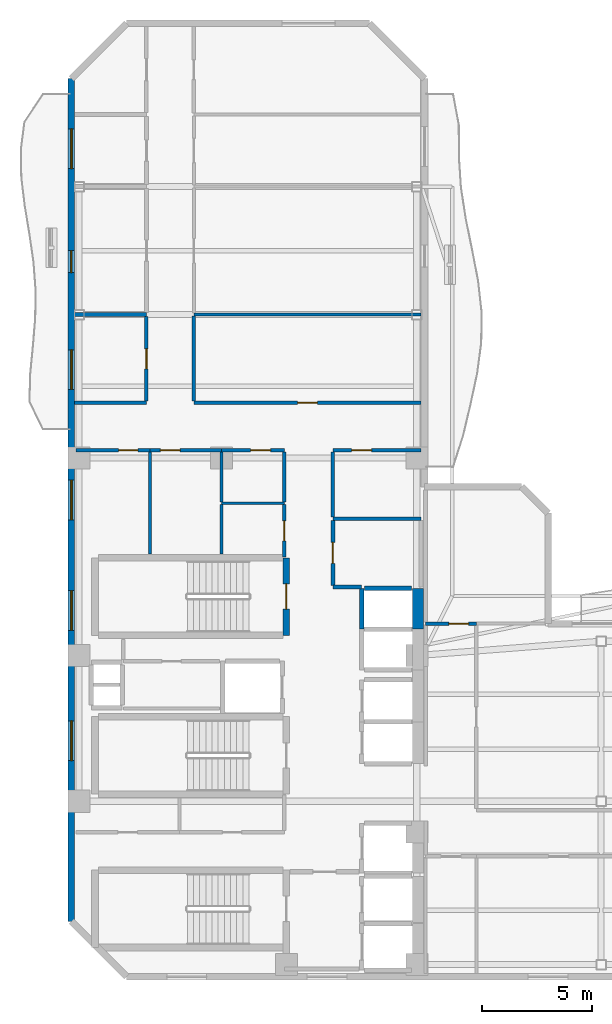
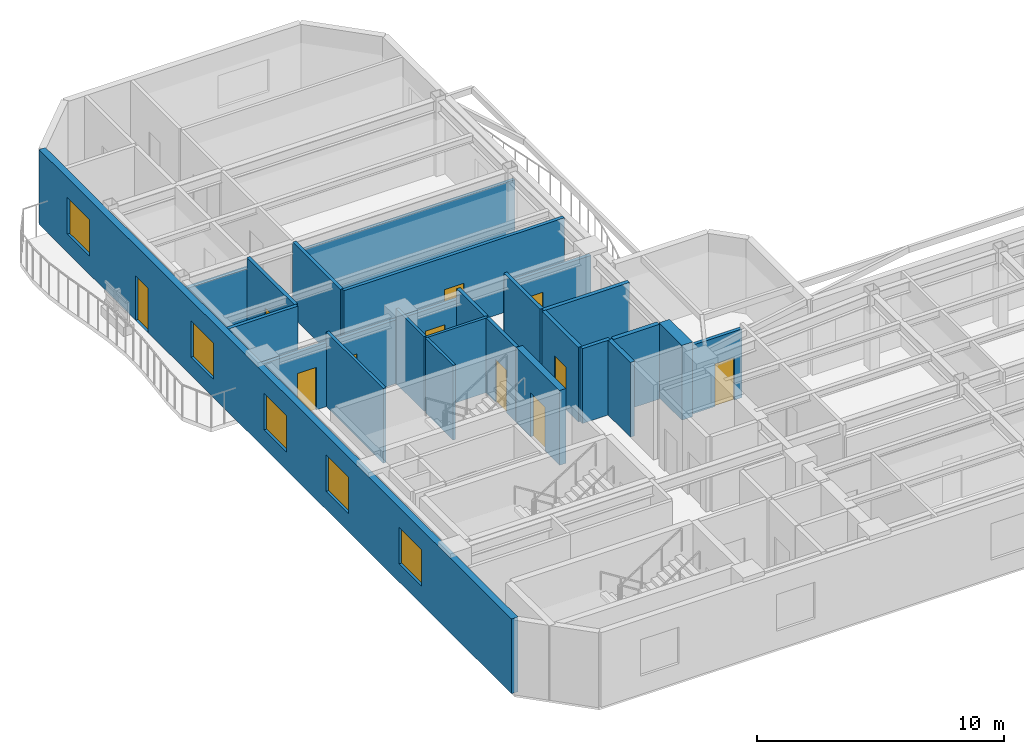
# One storey, part 4 of 9: 26 walls, 11 doors, 5 windows, 16 openings.
"""IFC4 building model written with IfcOpenShell, lengths in metres."""

from ifc_helpers import new_model, si_unit, direction, frame, frame_2d, origin, place, context, subcontext, project, spatial, rectangle, extrude, material, layer, layer_set, type_object, element, fill, save


model = new_model("IFC4")

# Units and contexts
model_context = context("Model", 3, precision=1e-05, world=origin(), true_north=direction((0.0, 1.0)))
body_context = subcontext(model_context, "Body", "Model", "MODEL_VIEW")
ifc_project = project(units=[si_unit("LENGTHUNIT", "METRE"), si_unit("AREAUNIT", "SQUARE_METRE"), si_unit("VOLUMEUNIT", "CUBIC_METRE"), si_unit("PLANEANGLEUNIT", "RADIAN"), si_unit("MASSUNIT", "GRAM", prefix="KILO")], contexts=[model_context])

# Site, building, storey
site_placement = place(None, origin())
site = spatial("IfcSite", under=ifc_project, at=site_placement, CompositionType="ELEMENT")
building_placement = place(site_placement, origin())
building = spatial("IfcBuilding", under=site, at=building_placement, Name="Mawjaban Terraces University", CompositionType="ELEMENT")
storey_placement = place(building_placement, frame((0.0, 0.0, 222.60009765625)))
storey = spatial("IfcBuildingStorey", under=building, at=storey_placement, Name="L54", CompositionType="ELEMENT", Elevation=222.60009765625)

# Walls
ifc_material_1 = material(Name="Acoustic masonry blockwork", Category="masonry")
ifc_layer_1 = layer(ifc_material_1, 0.179931640625)
ifc_layer_set_1 = layer_set([ifc_layer_1], Name="Acoustic masonry blockwork")
wall_type_1 = type_object("IfcWallType", Name="AcousticStudioWall_180", PredefinedType="PARTITIONING", material=ifc_layer_set_1)
wall_1_placement = place(storey_placement, frame((25.39990234375, 30.0, 0.0), z_axis=(0.0, 0.0, 1.0), x_axis=(-1.0, 0.0, 0.0)))
element("IfcWall", 1, at=wall_1_placement, inside=storey, type_object=wall_type_1, Name="L54 Departmental Office 8 Partition 4", PredefinedType="PARTITIONING", context=body_context, shape_type="SweptSolid", body=[
    extrude(rectangle(XDim=3.2548828125, YDim=0.179931640625, at=frame_2d((1.62744140625, 0.0))), origin(), (0.0, 0.0, 1.0), 3.138916015625),
])
wall_2_placement = place(storey_placement, frame((33.85009765625, 17.64990234375, 0.0), z_axis=(0.0, 0.0, 1.0), x_axis=(1.0, 0.0, 0.0)))
element("IfcWall", 2, at=wall_2_placement, inside=storey, type_object=wall_type_1, Name="L54 Graduate Research Collaboration Studio Partition 14", PredefinedType="PARTITIONING", context=body_context, shape_type="SweptSolid", body=[
    extrude(rectangle(XDim=1.2998046875, YDim=0.179931640625, at=frame_2d((0.64990234375, 0.0))), origin(), (0.0, 0.0, 1.0), 3.68994140625),
])
wall_3_placement = place(storey_placement, frame((37.85009765625, 20.75, 0.0), z_axis=(0.0, 0.0, 1.0), x_axis=(-1.0, 0.0, 0.0)))
element("IfcWall", 3, at=wall_3_placement, inside=storey, type_object=wall_type_1, Name="L54 Graduate Research Collaboration Studio Partition 16", PredefinedType="PARTITIONING", context=body_context, shape_type="SweptSolid", body=[
    extrude(rectangle(XDim=4.0, YDim=0.179931640625, at=frame_2d((2.0, 0.0))), origin(), (0.0, 0.0, 1.0), 3.68994140625),
])

# Wall, opening, door
wall_4_placement = place(storey_placement, frame((33.85009765625, 17.735107421875, 0.0), z_axis=(0.0, 0.0, 1.0), x_axis=(0.0, 1.0, 0.0)))
wall_4 = element("IfcWall", 4, at=wall_4_placement, inside=storey, type_object=wall_type_1, Name="L54 Core North Lift Lobby Partition 47", PredefinedType="PARTITIONING", context=body_context, shape_type="SweptSolid", body=[
    extrude(rectangle(XDim=2.929931640625, YDim=0.179931640625, at=frame_2d((1.46484375, 0.0))), origin(), (0.0, 0.0, 1.0), 3.68994140625),
])
opening_1_placement = place(wall_4_placement, frame((0.989990234375, 0.0, 0.0)))
opening_1 = element("IfcOpeningElement", 5, at=opening_1_placement, cuts=wall_4, Name="Opening ID-095", PredefinedType="OPENING", context=body_context, shape_type="SweptSolid", body=[
    extrude(rectangle(XDim=0.949951171875, YDim=2.10009765625, at=frame_2d((0.47509765625, 1.050048828125))), frame((0.0, 0.099853515625, 0.0), z_axis=(0.0, -1.0, 0.0), x_axis=(1.0, 0.0, 0.0)), (0.0, 0.0, 1.0), 0.199951171875),
])
ifc_material_2 = material(Name="Powder-coated steel frame and solid acoustic timber leaf", Category="steel")
door_type_1 = type_object("IfcDoorType", Name="StudioDoor_950x2100", OperationType="NOTDEFINED", PredefinedType="DOOR", material=ifc_material_2)
door_1_placement = place(opening_1_placement, origin())
door_1 = element("IfcDoor", 6, at=door_1_placement, inside=storey, type_object=door_type_1, Name="L54 Graduate Research Collaboration Studio Door", OperationType="SINGLE_SWING_LEFT", OverallHeight=2.10009765625, OverallWidth=0.949951171875, PredefinedType="DOOR", context=body_context, shape_type="SweptSolid", body=[
    extrude(rectangle(XDim=0.949951171875, YDim=2.10009765625, at=frame_2d((0.47509765625, 1.050048828125))), frame((0.0, 0.02490234375, 0.0), z_axis=(0.0, -1.0, 0.0), x_axis=(1.0, 0.0, 0.0)), (0.0, 0.0, 1.0), 0.050048828125),
])
fill(opening_1, door_1)

# Walls
ifc_material_3 = material(Name="Concrete C60/75", Category="concrete")
ifc_layer_2 = layer(ifc_material_3, 0.5)
ifc_layer_set_2 = layer_set([ifc_layer_2], Name="Concrete C60/75")
wall_type_2 = type_object("IfcWallType", Name="CoreShearWall_500", PredefinedType="SHEAR", material=ifc_layer_set_2)
wall_5_placement = place(storey_placement, frame((37.699951171875, 15.75, 0.0), z_axis=(0.0, 0.0, 1.0), x_axis=(0.0, 1.0, 0.0)))
element("IfcWall", 7, at=wall_5_placement, inside=storey, type_object=wall_type_2, Name="L54 Lift OL-2 Hoistway Wall East", PredefinedType="SHEAR", context=body_context, shape_type="SweptSolid", body=[
    extrude(rectangle(XDim=1.85009765625, YDim=0.5, at=frame_2d((0.925048828125, 0.0))), origin(), (0.0, 0.0, 1.0), 3.68994140625),
])
ifc_material_4 = material(Name="Fire-rated gypsum board on steel stud", Category="steel")
ifc_layer_3 = layer(ifc_material_4, 0.159912109375)
ifc_layer_set_3 = layer_set([ifc_layer_3], Name="Fire-rated gypsum board on steel stud")
wall_type_3 = type_object("IfcWallType", Name="CorridorPartition_160", PredefinedType="PARTITIONING", material=ifc_layer_set_3)
wall_6_placement = place(storey_placement, frame((25.39990234375, 26.0, 0.0), z_axis=(0.0, 0.0, 1.0), x_axis=(-1.0, 0.0, 0.0)))
element("IfcWall", 8, at=wall_6_placement, inside=storey, type_object=wall_type_3, Name="L54 North Core Cross-Corridor Partition 3", PredefinedType="PARTITIONING", context=body_context, shape_type="SweptSolid", body=[
    extrude(rectangle(XDim=3.2548828125, YDim=0.159912109375, at=frame_2d((1.62744140625, 0.0))), origin(), (0.0, 0.0, 1.0), 3.68994140625),
])

# Wall, opening, door
wall_7_placement = place(storey_placement, frame((25.550048828125, 23.85009765625, 0.0), z_axis=(0.0, 0.0, 1.0), x_axis=(-1.0, 0.0, 0.0)))
wall_7 = element("IfcWall", 9, at=wall_7_placement, inside=storey, type_object=wall_type_3, Name="L54 Female Toilet Partition 7", PredefinedType="PARTITIONING", context=body_context, shape_type="SweptSolid", body=[
    extrude(rectangle(XDim=3.35009765625, YDim=0.159912109375, at=frame_2d((1.675048828125, 0.0))), origin(), (0.0, 0.0, 1.0), 3.138916015625),
])
opening_2_placement = place(wall_7_placement, frame((0.534912109375, 0.0, 0.0)))
opening_2 = element("IfcOpeningElement", 10, at=opening_2_placement, cuts=wall_7, Name="Opening ID-088", PredefinedType="OPENING", context=body_context, shape_type="SweptSolid", body=[
    extrude(rectangle(XDim=0.8798828125, YDim=2.10009765625, at=frame_2d((0.43994140625, 1.050048828125))), frame((0.0, 0.08984375, 0.0), z_axis=(0.0, -1.0, 0.0), x_axis=(1.0, 0.0, 0.0)), (0.0, 0.0, 1.0), 0.179931640625),
])
door_type_2 = type_object("IfcDoorType", Name="ToiletDoor_880x2100", OperationType="NOTDEFINED", PredefinedType="DOOR", material=ifc_material_2)
door_2_placement = place(opening_2_placement, origin())
door_2 = element("IfcDoor", 11, at=door_2_placement, inside=storey, type_object=door_type_2, Name="L54 Female Toilet Door", OperationType="SINGLE_SWING_RIGHT", OverallHeight=2.10009765625, OverallWidth=0.8798828125, PredefinedType="DOOR", context=body_context, shape_type="SweptSolid", body=[
    extrude(rectangle(XDim=0.8798828125, YDim=2.10009765625, at=frame_2d((0.43994140625, 1.050048828125))), frame((0.0, 0.02490234375, 0.0), z_axis=(0.0, -1.0, 0.0), x_axis=(1.0, 0.0, 0.0)), (0.0, 0.0, 1.0), 0.050048828125),
])
fill(opening_2, door_2)

wall_8_placement = place(storey_placement, frame((28.800048828125, 23.85009765625, 0.0), z_axis=(0.0, 0.0, 1.0), x_axis=(-1.0, 0.0, 0.0)))
wall_8 = element("IfcWall", 12, at=wall_8_placement, inside=storey, type_object=wall_type_3, Name="L54 Staff Tea Pantry Partition 9", PredefinedType="PARTITIONING", context=body_context, shape_type="SweptSolid", body=[
    extrude(rectangle(XDim=3.25, YDim=0.159912109375, at=frame_2d((1.625, 0.0))), origin(), (0.0, 0.0, 1.0), 3.138916015625),
])
opening_3_placement = place(wall_8_placement, frame((1.875, 0.0, 0.0)))
opening_3 = element("IfcOpeningElement", 13, at=opening_3_placement, cuts=wall_8, Name="Opening ID-090", PredefinedType="OPENING", context=body_context, shape_type="SweptSolid", body=[
    extrude(rectangle(XDim=0.89990234375, YDim=2.10009765625, at=frame_2d((0.449951171875, 1.050048828125))), frame((0.0, 0.08984375, 0.0), z_axis=(0.0, -1.0, 0.0), x_axis=(1.0, 0.0, 0.0)), (0.0, 0.0, 1.0), 0.179931640625),
])
door_type_3 = type_object("IfcDoorType", Name="OfficeDoor_900x2100", OperationType="NOTDEFINED", PredefinedType="DOOR", material=ifc_material_2)
door_3_placement = place(opening_3_placement, origin())
door_3 = element("IfcDoor", 14, at=door_3_placement, inside=storey, type_object=door_type_3, Name="L54 Staff Tea Pantry Door", OperationType="SINGLE_SWING_LEFT", OverallHeight=2.10009765625, OverallWidth=0.89990234375, PredefinedType="DOOR", context=body_context, shape_type="SweptSolid", body=[
    extrude(rectangle(XDim=0.89990234375, YDim=2.10009765625, at=frame_2d((0.449951171875, 1.050048828125))), frame((0.0, 0.02490234375, 0.0), z_axis=(0.0, -1.0, 0.0), x_axis=(1.0, 0.0, 0.0)), (0.0, 0.0, 1.0), 0.050048828125),
])
fill(opening_3, door_3)

wall_9_placement = place(storey_placement, frame((31.64990234375, 23.85009765625, 0.0), z_axis=(0.0, 0.0, 1.0), x_axis=(-1.0, 0.0, 0.0)))
wall_9 = element("IfcWall", 15, at=wall_9_placement, inside=storey, type_object=wall_type_3, Name="L54 Faculty Consultation Alcove Partition 13", PredefinedType="PARTITIONING", context=body_context, shape_type="SweptSolid", body=[
    extrude(rectangle(XDim=2.849853515625, YDim=0.159912109375, at=frame_2d((1.4248046875, 0.0))), origin(), (0.0, 0.0, 1.0), 3.138916015625),
])
opening_4_placement = place(wall_9_placement, frame((0.625, 0.0, 0.0)))
opening_4 = element("IfcOpeningElement", 16, at=opening_4_placement, cuts=wall_9, Name="Opening ID-090", PredefinedType="OPENING", context=body_context, shape_type="SweptSolid", body=[
    extrude(rectangle(XDim=0.89990234375, YDim=2.10009765625, at=frame_2d((0.449951171875, 1.050048828125))), frame((0.0, 0.08984375, 0.0), z_axis=(0.0, -1.0, 0.0), x_axis=(1.0, 0.0, 0.0)), (0.0, 0.0, 1.0), 0.179931640625),
])
door_4_placement = place(opening_4_placement, origin())
door_4 = element("IfcDoor", 17, at=door_4_placement, inside=storey, type_object=door_type_3, Name="L54 Faculty Consultation Alcove Door", OperationType="SINGLE_SWING_RIGHT", OverallHeight=2.10009765625, OverallWidth=0.89990234375, PredefinedType="DOOR", context=body_context, shape_type="SweptSolid", body=[
    extrude(rectangle(XDim=0.89990234375, YDim=2.10009765625, at=frame_2d((0.449951171875, 1.050048828125))), frame((0.0, 0.02490234375, 0.0), z_axis=(0.0, -1.0, 0.0), x_axis=(1.0, 0.0, 0.0)), (0.0, 0.0, 1.0), 0.050048828125),
])
fill(opening_4, door_4)

wall_10_placement = place(storey_placement, frame((37.85009765625, 23.85009765625, 0.0), z_axis=(0.0, 0.0, 1.0), x_axis=(-1.0, 0.0, 0.0)))
wall_10 = element("IfcWall", 18, at=wall_10_placement, inside=storey, type_object=wall_type_3, Name="L54 Departmental Copy and Archive Room Partition 17", PredefinedType="PARTITIONING", context=body_context, shape_type="SweptSolid", body=[
    extrude(rectangle(XDim=4.0, YDim=0.159912109375, at=frame_2d((2.0, 0.0))), origin(), (0.0, 0.0, 1.0), 3.138916015625),
])
opening_5_placement = place(wall_10_placement, frame((2.25, 0.0, 0.0)))
opening_5 = element("IfcOpeningElement", 19, at=opening_5_placement, cuts=wall_10, Name="Opening ID-090", PredefinedType="OPENING", context=body_context, shape_type="SweptSolid", body=[
    extrude(rectangle(XDim=0.89990234375, YDim=2.10009765625, at=frame_2d((0.449951171875, 1.050048828125))), frame((0.0, 0.08984375, 0.0), z_axis=(0.0, -1.0, 0.0), x_axis=(1.0, 0.0, 0.0)), (0.0, 0.0, 1.0), 0.179931640625),
])
door_5_placement = place(opening_5_placement, origin())
door_5 = element("IfcDoor", 20, at=door_5_placement, inside=storey, type_object=door_type_3, Name="L54 Departmental Copy and Archive Room Door", OperationType="SINGLE_SWING_RIGHT", OverallHeight=2.10009765625, OverallWidth=0.89990234375, PredefinedType="DOOR", context=body_context, shape_type="SweptSolid", body=[
    extrude(rectangle(XDim=0.89990234375, YDim=2.10009765625, at=frame_2d((0.449951171875, 1.050048828125))), frame((0.0, 0.02490234375, 0.0), z_axis=(0.0, -1.0, 0.0), x_axis=(1.0, 0.0, 0.0)), (0.0, 0.0, 1.0), 0.050048828125),
])
fill(opening_5, door_5)

wall_11_placement = place(storey_placement, frame((37.85009765625, 26.0, 0.0), z_axis=(0.0, 0.0, 1.0), x_axis=(-1.0, 0.0, 0.0)))
wall_11 = element("IfcWall", 21, at=wall_11_placement, inside=storey, type_object=wall_type_3, Name="L54 North Core Cross-Corridor Partition 18", PredefinedType="PARTITIONING", context=body_context, shape_type="SweptSolid", body=[
    extrude(rectangle(XDim=10.300048828125, YDim=0.159912109375, at=frame_2d((5.14990234375, 0.0))), origin(), (0.0, 0.0, 1.0), 3.68994140625),
])
opening_6_placement = place(wall_11_placement, frame((4.699951171875, 0.0, 0.0)))
opening_6 = element("IfcOpeningElement", 22, at=opening_6_placement, cuts=wall_11, Name="Opening ID-090", PredefinedType="OPENING", context=body_context, shape_type="SweptSolid", body=[
    extrude(rectangle(XDim=0.89990234375, YDim=2.10009765625, at=frame_2d((0.449951171875, 1.050048828125))), frame((0.0, 0.08984375, 0.0), z_axis=(0.0, -1.0, 0.0), x_axis=(1.0, 0.0, 0.0)), (0.0, 0.0, 1.0), 0.179931640625),
])
door_6_placement = place(opening_6_placement, origin())
door_6 = element("IfcDoor", 23, at=door_6_placement, inside=storey, type_object=door_type_3, Name="L54 Quiet Reading Room 9 Door", OperationType="SINGLE_SWING_RIGHT", OverallHeight=2.10009765625, OverallWidth=0.89990234375, PredefinedType="DOOR", context=body_context, shape_type="SweptSolid", body=[
    extrude(rectangle(XDim=0.89990234375, YDim=2.10009765625, at=frame_2d((0.449951171875, 1.050048828125))), frame((0.0, 0.02490234375, 0.0), z_axis=(0.0, -1.0, 0.0), x_axis=(1.0, 0.0, 0.0)), (0.0, 0.0, 1.0), 0.050048828125),
])
fill(opening_6, door_6)

wall_12_placement = place(storey_placement, frame((40.35009765625, 16.0, 0.0), z_axis=(0.0, 0.0, 1.0), x_axis=(-1.0, 0.0, 0.0)))
wall_12 = element("IfcWall", 24, at=wall_12_placement, inside=storey, type_object=wall_type_3, Name="L54 South Spine Spur Link Partition 24", PredefinedType="PARTITIONING", context=body_context, shape_type="SweptSolid", body=[
    extrude(rectangle(XDim=2.300048828125, YDim=0.159912109375, at=frame_2d((1.14990234375, 0.0))), origin(), (0.0, 0.0, 1.0), 3.389892578125),
])
opening_7_placement = place(wall_12_placement, frame((0.35009765625, 0.0, 0.0)))
opening_7 = element("IfcOpeningElement", 25, at=opening_7_placement, cuts=wall_12, Name="Opening ID-090", PredefinedType="OPENING", context=body_context, shape_type="SweptSolid", body=[
    extrude(rectangle(XDim=0.89990234375, YDim=2.10009765625, at=frame_2d((0.449951171875, 1.050048828125))), frame((0.0, 0.08984375, 0.0), z_axis=(0.0, -1.0, 0.0), x_axis=(1.0, 0.0, 0.0)), (0.0, 0.0, 1.0), 0.179931640625),
])
door_7_placement = place(opening_7_placement, origin())
door_7 = element("IfcDoor", 26, at=door_7_placement, inside=storey, type_object=door_type_3, Name="L54 Terrace Collaborative Study Room Door", OperationType="SINGLE_SWING_LEFT", OverallHeight=2.10009765625, OverallWidth=0.89990234375, PredefinedType="DOOR", context=body_context, shape_type="SweptSolid", body=[
    extrude(rectangle(XDim=0.89990234375, YDim=2.10009765625, at=frame_2d((0.449951171875, 1.050048828125))), frame((0.0, 0.02490234375, 0.0), z_axis=(0.0, -1.0, 0.0), x_axis=(1.0, 0.0, 0.0)), (0.0, 0.0, 1.0), 0.050048828125),
])
fill(opening_7, door_7)

wall_13_placement = place(storey_placement, frame((25.39990234375, 29.9150390625, 0.0), z_axis=(0.0, 0.0, 1.0), x_axis=(0.0, -1.0, 0.0)))
wall_13 = element("IfcWall", 27, at=wall_13_placement, inside=storey, type_object=wall_type_3, Name="L54 West Shifted Academic Corridor Partition 32", PredefinedType="PARTITIONING", context=body_context, shape_type="SweptSolid", body=[
    extrude(rectangle(XDim=3.840087890625, YDim=0.159912109375, at=frame_2d((1.919921875, 0.0))), origin(), (0.0, 0.0, 1.0), 3.68994140625),
])
opening_8_placement = place(wall_13_placement, frame((1.469970703125, 0.0, 0.0)))
opening_8 = element("IfcOpeningElement", 28, at=opening_8_placement, cuts=wall_13, Name="Opening ID-090", PredefinedType="OPENING", context=body_context, shape_type="SweptSolid", body=[
    extrude(rectangle(XDim=0.89990234375, YDim=2.10009765625, at=frame_2d((0.449951171875, 1.050048828125))), frame((0.0, 0.08984375, 0.0), z_axis=(0.0, -1.0, 0.0), x_axis=(1.0, 0.0, 0.0)), (0.0, 0.0, 1.0), 0.179931640625),
])
door_8_placement = place(opening_8_placement, origin())
door_8 = element("IfcDoor", 29, at=door_8_placement, inside=storey, type_object=door_type_3, Name="L54 Departmental Office 8 Door", OperationType="SINGLE_SWING_LEFT", OverallHeight=2.10009765625, OverallWidth=0.89990234375, PredefinedType="DOOR", context=body_context, shape_type="SweptSolid", body=[
    extrude(rectangle(XDim=0.89990234375, YDim=2.10009765625, at=frame_2d((0.449951171875, 1.050048828125))), frame((0.0, 0.02490234375, 0.0), z_axis=(0.0, -1.0, 0.0), x_axis=(1.0, 0.0, 0.0)), (0.0, 0.0, 1.0), 0.050048828125),
])
fill(opening_8, door_8)

# Wall
wall_14_placement = place(storey_placement, frame((27.550048828125, 26.074951171875, 0.0), z_axis=(0.0, 0.0, 1.0), x_axis=(0.0, 1.0, 0.0)))
element("IfcWall", 30, at=wall_14_placement, inside=storey, type_object=wall_type_3, Name="L54 West Shifted Academic Corridor Partition 38", PredefinedType="PARTITIONING", context=body_context, shape_type="SweptSolid", body=[
    extrude(rectangle(XDim=3.858154296875, YDim=0.159912109375, at=frame_2d((1.92919921875, 0.0))), origin(), (0.0, 0.0, 1.0), 3.68994140625),
])

# Wall, opening, door
wall_15_placement = place(storey_placement, frame((31.64990234375, 19.010009765625, 0.0), z_axis=(0.0, 0.0, 1.0), x_axis=(0.0, 1.0, 0.0)))
wall_15 = element("IfcWall", 31, at=wall_15_placement, inside=storey, type_object=wall_type_3, Name="L54 Faculty Academic Resource Office Partition 45", PredefinedType="PARTITIONING", context=body_context, shape_type="SweptSolid", body=[
    extrude(rectangle(XDim=2.382080078125, YDim=0.159912109375, at=frame_2d((1.19091796875, 0.0))), origin(), (0.0, 0.0, 1.0), 3.68994140625),
])
opening_9_placement = place(wall_15_placement, frame((0.740966796875, 0.0, 0.0)))
opening_9 = element("IfcOpeningElement", 32, at=opening_9_placement, cuts=wall_15, Name="Opening ID-090", PredefinedType="OPENING", context=body_context, shape_type="SweptSolid", body=[
    extrude(rectangle(XDim=0.89990234375, YDim=2.10009765625, at=frame_2d((0.449951171875, 1.050048828125))), frame((0.0, 0.08984375, 0.0), z_axis=(0.0, -1.0, 0.0), x_axis=(1.0, 0.0, 0.0)), (0.0, 0.0, 1.0), 0.179931640625),
])
door_9_placement = place(opening_9_placement, origin())
door_9 = element("IfcDoor", 33, at=door_9_placement, inside=storey, type_object=door_type_3, Name="L54 Faculty Academic Resource Office Door", OperationType="SINGLE_SWING_LEFT", OverallHeight=2.10009765625, OverallWidth=0.89990234375, PredefinedType="DOOR", context=body_context, shape_type="SweptSolid", body=[
    extrude(rectangle(XDim=0.89990234375, YDim=2.10009765625, at=frame_2d((0.449951171875, 1.050048828125))), frame((0.0, 0.02490234375, 0.0), z_axis=(0.0, -1.0, 0.0), x_axis=(1.0, 0.0, 0.0)), (0.0, 0.0, 1.0), 0.050048828125),
])
fill(opening_9, door_9)

# Walls
wall_16_placement = place(storey_placement, frame((31.64990234375, 23.77490234375, 0.0), z_axis=(0.0, 0.0, 1.0), x_axis=(0.0, -1.0, 0.0)))
element("IfcWall", 34, at=wall_16_placement, inside=storey, type_object=wall_type_3, Name="L54 Core North Lift Lobby Partition 46", PredefinedType="PARTITIONING", context=body_context, shape_type="SweptSolid", body=[
    extrude(rectangle(XDim=2.266845703125, YDim=0.159912109375, at=frame_2d((1.13330078125, 0.0))), origin(), (0.0, 0.0, 1.0), 3.68994140625),
])
wall_17_placement = place(storey_placement, frame((33.85009765625, 20.8349609375, 0.0), z_axis=(0.0, 0.0, 1.0), x_axis=(0.0, 1.0, 0.0)))
element("IfcWall", 35, at=wall_17_placement, inside=storey, type_object=wall_type_3, Name="L54 Core North Lift Lobby Partition 48", PredefinedType="PARTITIONING", context=body_context, shape_type="SweptSolid", body=[
    extrude(rectangle(XDim=2.93994140625, YDim=0.159912109375, at=frame_2d((1.469970703125, 0.0))), origin(), (0.0, 0.0, 1.0), 3.68994140625),
])

# Wall, openings, door, windows
ifc_material_5 = material(Name="Insulated terracotta rainscreen on concrete backup C40/50", Category="masonry")
ifc_layer_4 = layer(ifc_material_5, 0.300048828125)
ifc_layer_set_4 = layer_set([ifc_layer_4], Name="Insulated terracotta rainscreen on concrete backup C40/50")
wall_type_4 = type_object("IfcWallType", Name="ExtTerracottaWall_300", PredefinedType="SOLIDWALL", material=ifc_layer_set_4)
wall_18_placement = place(storey_placement, frame((22.0, 40.699951171875, 0.0), z_axis=(0.0, 0.0, 1.0), x_axis=(0.0, -1.0, 0.0)))
wall_18 = element("IfcWall", 36, at=wall_18_placement, inside=storey, type_object=wall_type_4, Name="L54 Exterior Terracotta Wall 13", PredefinedType="SOLIDWALL", context=body_context, shape_type="SweptSolid", body=[
    extrude(rectangle(XDim=38.199951171875, YDim=0.300048828125, at=frame_2d((19.10009765625, 0.0))), origin(), (0.0, 0.0, 1.0), 3.68994140625),
])
opening_10_placement = place(wall_18_placement, frame((7.800048828125, 0.0, 0.0)))
opening_10 = element("IfcOpeningElement", 37, at=opening_10_placement, cuts=wall_18, Name="Opening BD-100", PredefinedType="OPENING", context=body_context, shape_type="SweptSolid", body=[
    extrude(rectangle(XDim=1.0, YDim=2.199951171875, at=frame_2d((0.5, 1.10009765625))), frame((0.0, 0.159912109375, 0.0), z_axis=(0.0, -1.0, 0.0), x_axis=(1.0, 0.0, 0.0)), (0.0, 0.0, 1.0), 0.320068359375),
])
opening_11_placement = place(wall_18_placement, frame((2.279052734375, 0.0, 0.89990234375)))
opening_11 = element("IfcOpeningElement", 38, at=opening_11_placement, cuts=wall_18, Name="Opening W-07", PredefinedType="OPENING", context=body_context, shape_type="SweptSolid", body=[
    extrude(rectangle(XDim=1.800048828125, YDim=1.800048828125, at=frame_2d((0.89990234375, 0.89990234375))), frame((0.0, 0.159912109375, 0.0), z_axis=(0.0, -1.0, 0.0), x_axis=(1.0, 0.0, 0.0)), (0.0, 0.0, 1.0), 0.320068359375),
])
opening_12_placement = place(wall_18_placement, frame((12.29296875, 0.0, 0.89990234375)))
opening_12 = element("IfcOpeningElement", 39, at=opening_12_placement, cuts=wall_18, Name="Opening W-07", PredefinedType="OPENING", context=body_context, shape_type="SweptSolid", body=[
    extrude(rectangle(XDim=1.800048828125, YDim=1.800048828125, at=frame_2d((0.89990234375, 0.89990234375))), frame((0.0, 0.159912109375, 0.0), z_axis=(0.0, -1.0, 0.0), x_axis=(1.0, 0.0, 0.0)), (0.0, 0.0, 1.0), 0.320068359375),
])
opening_13_placement = place(wall_18_placement, frame((18.199951171875, 0.0, 0.89990234375)))
opening_13 = element("IfcOpeningElement", 40, at=opening_13_placement, cuts=wall_18, Name="Opening W-07", PredefinedType="OPENING", context=body_context, shape_type="SweptSolid", body=[
    extrude(rectangle(XDim=1.800048828125, YDim=1.800048828125, at=frame_2d((0.89990234375, 0.89990234375))), frame((0.0, 0.159912109375, 0.0), z_axis=(0.0, -1.0, 0.0), x_axis=(1.0, 0.0, 0.0)), (0.0, 0.0, 1.0), 0.320068359375),
])
opening_14_placement = place(wall_18_placement, frame((23.20703125, 0.0, 0.89990234375)))
opening_14 = element("IfcOpeningElement", 41, at=opening_14_placement, cuts=wall_18, Name="Opening W-07", PredefinedType="OPENING", context=body_context, shape_type="SweptSolid", body=[
    extrude(rectangle(XDim=1.800048828125, YDim=1.800048828125, at=frame_2d((0.89990234375, 0.89990234375))), frame((0.0, 0.159912109375, 0.0), z_axis=(0.0, -1.0, 0.0), x_axis=(1.0, 0.0, 0.0)), (0.0, 0.0, 1.0), 0.320068359375),
])
opening_15_placement = place(wall_18_placement, frame((29.114013671875, 0.0, 0.89990234375)))
opening_15 = element("IfcOpeningElement", 42, at=opening_15_placement, cuts=wall_18, Name="Opening W-07", PredefinedType="OPENING", context=body_context, shape_type="SweptSolid", body=[
    extrude(rectangle(XDim=1.800048828125, YDim=1.800048828125, at=frame_2d((0.89990234375, 0.89990234375))), frame((0.0, 0.159912109375, 0.0), z_axis=(0.0, -1.0, 0.0), x_axis=(1.0, 0.0, 0.0)), (0.0, 0.0, 1.0), 0.320068359375),
])
ifc_material_6 = material(Name="Thermally broken anodised aluminium and laminated safety glass", Category="aluminium")
door_type_4 = type_object("IfcDoorType", Name="BalconyGlazedDoor_1000x2200", OperationType="NOTDEFINED", PredefinedType="DOOR", material=ifc_material_6)
door_10_placement = place(opening_10_placement, origin())
door_10 = element("IfcDoor", 43, at=door_10_placement, inside=storey, type_object=door_type_4, Name="L54 Balcony Access Door west", OperationType="SINGLE_SWING_LEFT", OverallHeight=2.199951171875, OverallWidth=1.0, PredefinedType="DOOR", context=body_context, shape_type="SweptSolid", body=[
    extrude(rectangle(XDim=1.0, YDim=2.199951171875, at=frame_2d((0.5, 1.10009765625))), frame((0.0, 0.02490234375, 0.0), z_axis=(0.0, -1.0, 0.0), x_axis=(1.0, 0.0, 0.0)), (0.0, 0.0, 1.0), 0.050048828125),
])
fill(opening_10, door_10)
ifc_material_7 = material(Name="Low-E solar-control double glazing in thermally broken aluminium frame", Category="aluminium")
window_type = type_object("IfcWindowType", Name="Win_1800x1800", PartitioningType="SINGLE_PANEL", PredefinedType="WINDOW", material=ifc_material_7)
window_1_placement = place(opening_11_placement, origin())
window_1 = element("IfcWindow", 44, at=window_1_placement, inside=storey, type_object=window_type, Name="L54 Facade Window 13.1", OverallHeight=1.800048828125, OverallWidth=1.800048828125, PartitioningType="SINGLE_PANEL", PredefinedType="WINDOW", context=body_context, shape_type="SweptSolid", body=[
    extrude(rectangle(XDim=1.800048828125, YDim=1.800048828125, at=frame_2d((0.89990234375, 0.89990234375))), frame((0.0, 0.030029296875, 0.0), z_axis=(0.0, -1.0, 0.0), x_axis=(1.0, 0.0, 0.0)), (0.0, 0.0, 1.0), 0.06005859375),
])
fill(opening_11, window_1)
window_2_placement = place(opening_12_placement, origin())
window_2 = element("IfcWindow", 45, at=window_2_placement, inside=storey, type_object=window_type, Name="L54 Facade Window 13.3", OverallHeight=1.800048828125, OverallWidth=1.800048828125, PartitioningType="SINGLE_PANEL", PredefinedType="WINDOW", context=body_context, shape_type="SweptSolid", body=[
    extrude(rectangle(XDim=1.800048828125, YDim=1.800048828125, at=frame_2d((0.89990234375, 0.89990234375))), frame((0.0, 0.030029296875, 0.0), z_axis=(0.0, -1.0, 0.0), x_axis=(1.0, 0.0, 0.0)), (0.0, 0.0, 1.0), 0.06005859375),
])
fill(opening_12, window_2)
window_3_placement = place(opening_13_placement, origin())
window_3 = element("IfcWindow", 46, at=window_3_placement, inside=storey, type_object=window_type, Name="L54 Facade Window 13.4", OverallHeight=1.800048828125, OverallWidth=1.800048828125, PartitioningType="SINGLE_PANEL", PredefinedType="WINDOW", context=body_context, shape_type="SweptSolid", body=[
    extrude(rectangle(XDim=1.800048828125, YDim=1.800048828125, at=frame_2d((0.89990234375, 0.89990234375))), frame((0.0, 0.030029296875, 0.0), z_axis=(0.0, -1.0, 0.0), x_axis=(1.0, 0.0, 0.0)), (0.0, 0.0, 1.0), 0.06005859375),
])
fill(opening_13, window_3)
window_4_placement = place(opening_14_placement, origin())
window_4 = element("IfcWindow", 47, at=window_4_placement, inside=storey, type_object=window_type, Name="L54 Facade Window 13.5", OverallHeight=1.800048828125, OverallWidth=1.800048828125, PartitioningType="SINGLE_PANEL", PredefinedType="WINDOW", context=body_context, shape_type="SweptSolid", body=[
    extrude(rectangle(XDim=1.800048828125, YDim=1.800048828125, at=frame_2d((0.89990234375, 0.89990234375))), frame((0.0, 0.030029296875, 0.0), z_axis=(0.0, -1.0, 0.0), x_axis=(1.0, 0.0, 0.0)), (0.0, 0.0, 1.0), 0.06005859375),
])
fill(opening_14, window_4)
window_5_placement = place(opening_15_placement, origin())
window_5 = element("IfcWindow", 48, at=window_5_placement, inside=storey, type_object=window_type, Name="L54 Facade Window 13.6", OverallHeight=1.800048828125, OverallWidth=1.800048828125, PartitioningType="SINGLE_PANEL", PredefinedType="WINDOW", context=body_context, shape_type="SweptSolid", body=[
    extrude(rectangle(XDim=1.800048828125, YDim=1.800048828125, at=frame_2d((0.89990234375, 0.89990234375))), frame((0.0, 0.030029296875, 0.0), z_axis=(0.0, -1.0, 0.0), x_axis=(1.0, 0.0, 0.0)), (0.0, 0.0, 1.0), 0.06005859375),
])
fill(opening_15, window_5)

# Walls
ifc_material_8 = material(Name="Concrete C40/50", Category="concrete")
ifc_layer_5 = layer(ifc_material_8, 0.199951171875)
ifc_layer_set_5 = layer_set([ifc_layer_5], Name="Concrete C40/50")
wall_type_5 = type_object("IfcWallType", Name="FireLobbyWall_200", PredefinedType="SOLIDWALL", material=ifc_layer_set_5)
wall_19_placement = place(storey_placement, frame((35.14990234375, 17.60009765625, 0.0), z_axis=(0.0, 0.0, 1.0), x_axis=(0.0, -1.0, 0.0)))
element("IfcWall", 49, at=wall_19_placement, inside=storey, type_object=wall_type_5, Name="L54 Lift OL-2 Hoistway Wall West", PredefinedType="SOLIDWALL", context=body_context, shape_type="SweptSolid", body=[
    extrude(rectangle(XDim=1.85009765625, YDim=0.199951171875, at=frame_2d((0.925048828125, 0.0))), origin(), (0.0, 0.0, 1.0), 3.68994140625),
])
wall_20_placement = place(storey_placement, frame((37.419921875, 17.60009765625, 0.0), z_axis=(0.0, 0.0, 1.0), x_axis=(-1.0, 0.0, 0.0)))
element("IfcWall", 50, at=wall_20_placement, inside=storey, type_object=wall_type_5, Name="L54 Lift OL-2 Hoistway Wall North", PredefinedType="SOLIDWALL", context=body_context, shape_type="SweptSolid", body=[
    extrude(rectangle(XDim=2.139892578125, YDim=0.199951171875, at=frame_2d((1.06982421875, 0.0))), origin(), (0.0, 0.0, 1.0), 3.68994140625),
])
ifc_material_9 = material(Name="Moisture-resistant gypsum board on steel stud", Category="steel")
ifc_layer_6 = layer(ifc_material_9, 0.14501953125)
ifc_layer_set_6 = layer_set([ifc_layer_6], Name="Moisture-resistant gypsum board on steel stud")
wall_type_6 = type_object("IfcWallType", Name="LabPartition_145", PredefinedType="PARTITIONING", material=ifc_layer_set_6)
wall_21_placement = place(storey_placement, frame((37.85009765625, 30.0, 0.0), z_axis=(0.0, 0.0, 1.0), x_axis=(-1.0, 0.0, 0.0)))
element("IfcWall", 51, at=wall_21_placement, inside=storey, type_object=wall_type_6, Name="L54 Quiet Reading Room 9 Partition 19", PredefinedType="PARTITIONING", context=body_context, shape_type="SweptSolid", body=[
    extrude(rectangle(XDim=10.300048828125, YDim=0.14501953125, at=frame_2d((5.14990234375, 0.0))), origin(), (0.0, 0.0, 1.0), 3.138916015625),
])
ifc_material_10 = material(Name="Gypsum plasterboard on steel stud", Category="steel")
ifc_layer_7 = layer(ifc_material_10, 0.125)
ifc_layer_set_7 = layer_set([ifc_layer_7], Name="Gypsum plasterboard on steel stud")
wall_type_7 = type_object("IfcWallType", Name="OfficePartition_125", PredefinedType="PARTITIONING", material=ifc_layer_set_7)
wall_22_placement = place(storey_placement, frame((31.64990234375, 21.449951171875, 0.0), z_axis=(0.0, 0.0, 1.0), x_axis=(-1.0, 0.0, 0.0)))
element("IfcWall", 52, at=wall_22_placement, inside=storey, type_object=wall_type_7, Name="L54 Faculty Academic Resource Office Partition 12", PredefinedType="PARTITIONING", context=body_context, shape_type="SweptSolid", body=[
    extrude(rectangle(XDim=2.849853515625, YDim=0.125, at=frame_2d((1.4248046875, 0.0))), origin(), (0.0, 0.0, 1.0), 3.68994140625),
])
wall_23_placement = place(storey_placement, frame((28.800048828125, 21.39208984375, 0.0), z_axis=(0.0, 0.0, 1.0), x_axis=(0.0, -1.0, 0.0)))
element("IfcWall", 53, at=wall_23_placement, inside=storey, type_object=wall_type_7, Name="L54 Faculty Academic Resource Office Partition 42", PredefinedType="PARTITIONING", context=body_context, shape_type="SweptSolid", body=[
    extrude(rectangle(XDim=2.232177734375, YDim=0.125, at=frame_2d((1.1162109375, 0.0))), origin(), (0.0, 0.0, 1.0), 3.68994140625),
])
wall_24_placement = place(storey_placement, frame((28.800048828125, 23.77490234375, 0.0), z_axis=(0.0, 0.0, 1.0), x_axis=(0.0, -1.0, 0.0)))
element("IfcWall", 54, at=wall_24_placement, inside=storey, type_object=wall_type_7, Name="L54 Faculty Consultation Alcove Partition 43", PredefinedType="PARTITIONING", context=body_context, shape_type="SweptSolid", body=[
    extrude(rectangle(XDim=2.266845703125, YDim=0.125, at=frame_2d((1.13330078125, 0.0))), origin(), (0.0, 0.0, 1.0), 3.68994140625),
])

# Wall, opening, door
ifc_layer_8 = layer(ifc_material_3, 0.300048828125)
ifc_layer_set_8 = layer_set([ifc_layer_8], Name="Concrete C60/75")
wall_type_8 = type_object("IfcWallType", Name="StairShaftWall_300", PredefinedType="SHEAR", material=ifc_layer_set_8)
wall_25_placement = place(storey_placement, frame((31.72998046875, 15.469970703125, 0.0), z_axis=(0.0, 0.0, 1.0), x_axis=(0.0, 1.0, 0.0)))
wall_25 = element("IfcWall", 55, at=wall_25_placement, inside=storey, type_object=wall_type_8, Name="L54 ST-2 Stair Shaft Wall 4", PredefinedType="SHEAR", context=body_context, shape_type="SweptSolid", body=[
    extrude(rectangle(XDim=3.510009765625, YDim=0.300048828125, at=frame_2d((1.7548828125, 0.0))), origin(), (0.0, 0.0, 1.0), 3.68994140625),
])
opening_16_placement = place(wall_25_placement, frame((1.179931640625, 0.0, 0.0)))
opening_16 = element("IfcOpeningElement", 56, at=opening_16_placement, cuts=wall_25, Name="Opening FD-115", PredefinedType="OPENING", context=body_context, shape_type="SweptSolid", body=[
    extrude(rectangle(XDim=1.14990234375, YDim=2.14990234375, at=frame_2d((0.574951171875, 1.074951171875))), frame((0.0, 0.159912109375, 0.0), z_axis=(0.0, -1.0, 0.0), x_axis=(1.0, 0.0, 0.0)), (0.0, 0.0, 1.0), 0.320068359375),
])
ifc_material_11 = material(Name="Powder-coated steel frame and fire-rated steel-faced leaf", Category="steel")
door_type_5 = type_object("IfcDoorType", Name="FireStairDoor_1150x2150", OperationType="NOTDEFINED", PredefinedType="DOOR", material=ifc_material_11)
door_11_placement = place(opening_16_placement, origin())
door_11 = element("IfcDoor", 57, at=door_11_placement, inside=storey, type_object=door_type_5, Name="L54 ST-2 Pressurised Stair Fire Door", OperationType="SINGLE_SWING_RIGHT", OverallHeight=2.14990234375, OverallWidth=1.14990234375, PredefinedType="DOOR", context=body_context, shape_type="SweptSolid", body=[
    extrude(rectangle(XDim=1.14990234375, YDim=2.14990234375, at=frame_2d((0.574951171875, 1.074951171875))), frame((0.0, 0.02490234375, 0.0), z_axis=(0.0, -1.0, 0.0), x_axis=(1.0, 0.0, 0.0)), (0.0, 0.0, 1.0), 0.050048828125),
])
fill(opening_16, door_11)

# Wall
ifc_material_12 = material(Name="Cement-board wet-room partition", Category="masonry")
ifc_layer_9 = layer(ifc_material_12, 0.135009765625)
ifc_layer_set_9 = layer_set([ifc_layer_9], Name="Cement-board wet-room partition")
wall_type_9 = type_object("IfcWallType", Name="WetRoomPartition_135", PredefinedType="PARTITIONING", material=ifc_layer_set_9)
wall_26_placement = place(storey_placement, frame((25.550048828125, 19.159912109375, 0.0), z_axis=(0.0, 0.0, 1.0), x_axis=(0.0, 1.0, 0.0)))
element("IfcWall", 58, at=wall_26_placement, inside=storey, type_object=wall_type_9, Name="L54 Female Toilet Partition 36", PredefinedType="PARTITIONING", context=body_context, shape_type="SweptSolid", body=[
    extrude(rectangle(XDim=4.614990234375, YDim=0.135009765625, at=frame_2d((2.3076171875, 0.0))), origin(), (0.0, 0.0, 1.0), 3.68994140625),
])

save(model, "model.ifc")
